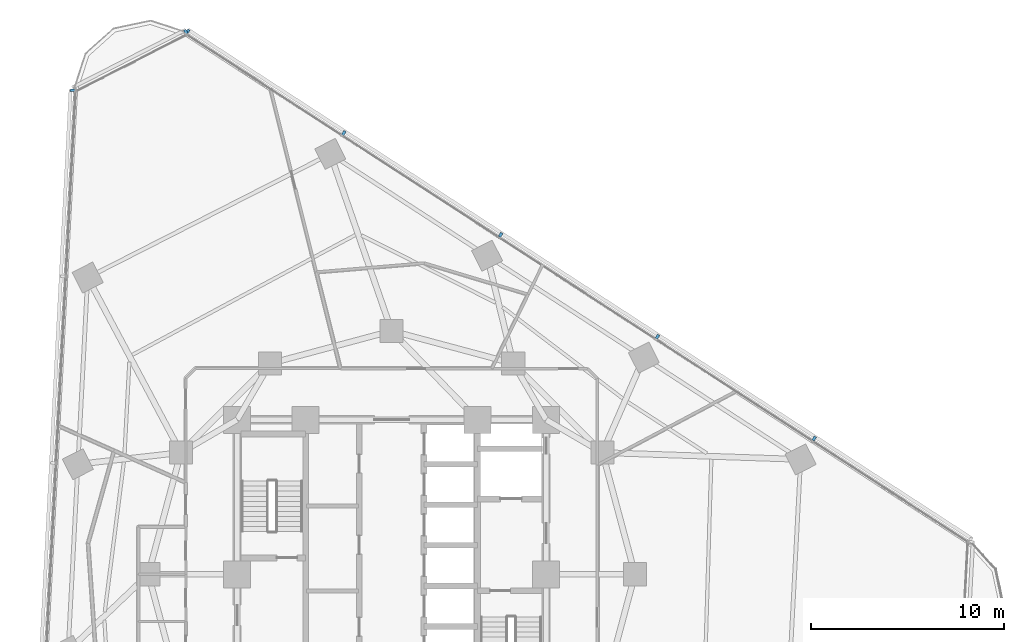
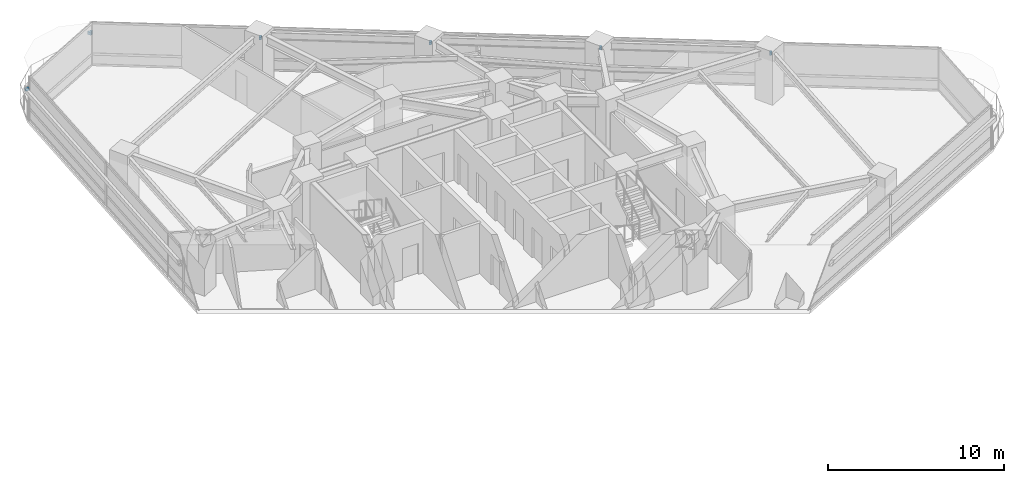
# One storey, part 11 of 14: 7 discrete accessories.
"""IFC4 building model written with IfcOpenShell, lengths in metres."""

import ifcopenshell
import ifcopenshell.guid

model = None  # the IFC model being written
_history = None  # IfcOwnerHistory: only IFC2X3 demands one
_inside = {}  # id of a spatial element -> (the spatial element, [elements in it])
_under = {}  # id of a project, library or spatial element -> (it, [spatial elements below it])
_declared = {}  # id of a project -> (the project, [libraries it declares])
_typed = {}  # id of a type object -> (the type object, [elements of that type])
_made_of = {}  # id of a material, layer set ... -> (it, [elements and type objects made of it])


def new_model(schema):
    """Start an empty IFC model of exactly this schema.

    Asked for "IFC4X3", IfcOpenShell would pick the latest addendum, in which some entities
    have other attributes; the version numbers below select the first issue.
    IFC2X3 requires an IfcOwnerHistory on every rooted entity: one is made here for all.
    """
    global model, _history
    if schema == "IFC4X3":
        model = ifcopenshell.file(schema_version=(4, 3, 0, 0))
    else:
        model = ifcopenshell.file(schema=schema)
    _inside.clear()
    _under.clear()
    _declared.clear()
    _typed.clear()
    _made_of.clear()
    _history = None
    if model.schema == "IFC2X3":
        org = make("IfcOrganization", Name="unknown")
        user = make(
            "IfcPersonAndOrganization",
            ThePerson=make("IfcPerson", FamilyName="unknown"),
            TheOrganization=org,
        )
        app = make(
            "IfcApplication",
            ApplicationDeveloper=org,
            Version="unknown",
            ApplicationFullName="unknown",
            ApplicationIdentifier="unknown",
        )
        _history = make(
            "IfcOwnerHistory",
            OwningUser=user,
            OwningApplication=app,
            ChangeAction="ADDED",
            CreationDate=0,
        )
    return model


def make(cls, **values):
    """One entity of the class cls with the attributes given. An attribute that is None is left unset."""
    return model.create_entity(
        cls, **{name: value for name, value in values.items() if value is not None}
    )


def rooted(cls, **values):
    """An entity with a GlobalId (a new one), such as an element, a storey or a relation."""
    return make(cls, GlobalId=ifcopenshell.guid.new(), OwnerHistory=_history, **values)


def si_unit(unit_type, name, prefix=None):
    """IfcSIUnit, for example si_unit("LENGTHUNIT", "METRE", prefix="MILLI")."""
    return make("IfcSIUnit", UnitType=unit_type, Prefix=prefix, Name=name)


def assignment(units):
    """IfcUnitAssignment: the units of a project."""
    return None if units is None else make("IfcUnitAssignment", Units=units)


def point(xyz):
    """IfcCartesianPoint."""
    return None if xyz is None else make("IfcCartesianPoint", Coordinates=xyz)


def direction(xyz):
    """IfcDirection."""
    return None if xyz is None else make("IfcDirection", DirectionRatios=xyz)


def frame(location, z_axis=None, x_axis=None):
    """IfcAxis2Placement3D, a coordinate frame: its origin and axes. An axis left out is left unset."""
    return make(
        "IfcAxis2Placement3D",
        Location=point(location),
        Axis=direction(z_axis),
        RefDirection=direction(x_axis),
    )


def frame_2d(location, x_axis=None):
    """IfcAxis2Placement2D, a coordinate frame in the plane: its origin and x axis."""
    return make(
        "IfcAxis2Placement2D", Location=point(location), RefDirection=direction(x_axis)
    )


def origin():
    """The frame at (0, 0, 0) with its axes left unset."""
    return frame((0.0, 0.0, 0.0))


def origin_2d():
    """The frame at (0, 0) in the plane with its x axis left unset."""
    return frame_2d((0.0, 0.0))


def place(relative_to, where):
    """IfcLocalPlacement: puts the frame where relative to a parent placement (None: the world)."""
    return make(
        "IfcLocalPlacement", PlacementRelTo=relative_to, RelativePlacement=where
    )


def context(
    kind, dimensions, precision=None, world=None, true_north=None, identifier=None
):
    """IfcGeometricRepresentationContext, for example the 3D "Model" context."""
    return make(
        "IfcGeometricRepresentationContext",
        ContextIdentifier=identifier,
        ContextType=kind,
        CoordinateSpaceDimension=dimensions,
        Precision=precision,
        WorldCoordinateSystem=world,
        TrueNorth=true_north,
    )


def subcontext(parent, identifier, kind, view, scale=None):
    """IfcGeometricRepresentationSubContext, for example "Body" below "Model"."""
    return make(
        "IfcGeometricRepresentationSubContext",
        ContextIdentifier=identifier,
        ContextType=kind,
        ParentContext=parent,
        TargetScale=scale,
        TargetView=view,
    )


def project(units=None, contexts=None):
    """IfcProject with its units and contexts."""
    return rooted(
        "IfcProject",
        Name="project",
        RepresentationContexts=contexts,
        UnitsInContext=assignment(units),
    )


def spatial(cls, under=None, at=None, **own):
    """A site, building, storey or space (cls), placed at a placement, below another one or the project."""
    s = rooted(cls, ObjectPlacement=at, **own)
    if under is not None:
        _under.setdefault(under.id(), (under, []))[1].append(s)
    return s


def profile(cls, at=None, kind="AREA", **sizes):
    """A parametric profile (cls). Its sizes go by their IFC names, for example OverallWidth=200.0."""
    return make(cls, ProfileType=kind, Position=at, **sizes)


def rectangle(**sizes):
    """IfcRectangleProfileDef."""
    return profile("IfcRectangleProfileDef", **sizes)


def extrude(swept, where, along, depth):
    """IfcExtrudedAreaSolid: the profile swept, set in the frame where, extruded along a direction by depth."""
    return make(
        "IfcExtrudedAreaSolid",
        SweptArea=swept,
        Position=where,
        ExtrudedDirection=direction(along),
        Depth=depth,
    )


def shape(context_of_items, identifier, shape_type, items):
    """IfcShapeRepresentation: the items that make up one representation, for example the "Body"."""
    return make(
        "IfcShapeRepresentation",
        ContextOfItems=context_of_items,
        RepresentationIdentifier=identifier,
        RepresentationType=shape_type,
        Items=items,
    )


def material(Name=None, Category=None):
    """IfcMaterial."""
    return make("IfcMaterial", Name=Name, Category=Category)


def made_of(thing, what):
    """Note that an element or type object is made of a material, layer set ...; save() writes the relation."""
    if what is not None:
        _made_of.setdefault(what.id(), (what, []))[1].append(thing)
    return thing


def type_object(cls, material=None, **own):
    """A type object (cls), such as IfcWallType, which elements share."""
    return made_of(rooted(cls, **own), material)


def element(
    cls,
    number,
    at=None,
    inside=None,
    cuts=None,
    type_object=None,
    material=None,
    context=None,
    identifier="Body",
    shape_type=None,
    held_by="IfcProductDefinitionShape",
    body=None,
    shapes=None,
    **own,
):
    """One element of the class cls, such as IfcWall. Its Tag is "e" and its number.

    at: its placement. inside: the storey or other place that contains it. cuts: it is an
    opening in that element (IfcRelVoidsElement). A single representation is given by context,
    identifier, shape_type and body (its items); several are given by shapes. held_by: the class
    of the entity that holds the representations. save() writes the other relations.
    """
    e = rooted(cls, Tag="e%d" % number, ObjectPlacement=at, **own)
    if body is not None:
        shapes = [shape(context, identifier, shape_type, body)]
    if shapes is not None:
        e.Representation = make(held_by, Representations=shapes)
    if inside is not None:
        _inside.setdefault(inside.id(), (inside, []))[1].append(e)
    if cuts is not None:
        rooted(
            "IfcRelVoidsElement", RelatingBuildingElement=cuts, RelatedOpeningElement=e
        )
    if type_object is not None:
        _typed.setdefault(type_object.id(), (type_object, []))[1].append(e)
    return made_of(e, material)


def aggregate(whole, parts):
    """IfcRelAggregates: a whole, such as a stair, and the parts it consists of."""
    return rooted("IfcRelAggregates", RelatingObject=whole, RelatedObjects=parts)


def save(model, path):
    """Write the relations noted so far, then the file.

    IfcRelAggregates (storeys below a building ...), IfcRelContainedInSpatialStructure (elements
    in a storey), IfcRelDefinesByType, IfcRelAssociatesMaterial and IfcRelDeclares: one each for
    every whole, place, type object, material and project.
    """
    for whole, parts in _under.values():
        aggregate(whole, parts)
    for where, things in _inside.values():
        rooted(
            "IfcRelContainedInSpatialStructure",
            RelatedElements=things,
            RelatingStructure=where,
        )
    for kind, things in _typed.values():
        rooted("IfcRelDefinesByType", RelatedObjects=things, RelatingType=kind)
    for what, things in _made_of.values():
        rooted("IfcRelAssociatesMaterial", RelatedObjects=things, RelatingMaterial=what)
    for by, libraries in _declared.values():
        rooted("IfcRelDeclares", RelatingContext=by, RelatedDefinitions=libraries)
    model.write(path)


model = new_model("IFC4")

# Units and contexts
model_context = context("Model", 3, precision=1e-05, world=origin(), true_north=direction((0.0, 1.0)))
body_context = subcontext(model_context, "Body", "Model", "MODEL_VIEW")
ifc_project = project(units=[si_unit("LENGTHUNIT", "METRE"), si_unit("AREAUNIT", "SQUARE_METRE"), si_unit("VOLUMEUNIT", "CUBIC_METRE"), si_unit("PLANEANGLEUNIT", "RADIAN"), si_unit("MASSUNIT", "GRAM", prefix="KILO")], contexts=[model_context])

# Site, building, storey
site_placement = place(None, origin())
site = spatial("IfcSite", under=ifc_project, at=site_placement, CompositionType="ELEMENT")
building_placement = place(site_placement, origin())
building = spatial("IfcBuilding", under=site, at=building_placement, Name="Terralouvre Media Tower", CompositionType="ELEMENT")
storey_placement = place(building_placement, frame((0.0, 0.0, 131.0)))
storey = spatial("IfcBuildingStorey", under=building, at=storey_placement, Name="L33", CompositionType="ELEMENT", Elevation=131.0)

# Discrete accessories
ifc_material = material(Name="Anodised extruded aluminium 6063-T6", Category="aluminium")
discrete_accessory_type = type_object("IfcDiscreteAccessoryType", Name="Mullion Stand-Off Baguette Fixing Bracket BK-01", PredefinedType="BRACKET", material=ifc_material)
for number, where, z_axis, x_axis, name in (
    (1, (21.87841796875, 7.030029296875, 2.07421875), (0.0, 0.0, 1.0), (-0.838670588944, 0.544639002681, 0.0), "CW-L33-F1 Baguette Outrigger Bracket 1.02"),
    (2, (13.76025390625, 12.30224609375, 2.07421875), (0.0, 0.0, 1.0), (-0.838670588944, 0.544639002681, 0.0), "CW-L33-F1 Baguette Outrigger Bracket 1.03"),
    (3, (5.641845703125, 17.574462890625, 2.07421875), (0.0, 0.0, 1.0), (-0.838670588944, 0.544639002681, 0.0), "CW-L33-F1 Baguette Outrigger Bracket 1.04"),
    (4, (-2.4765625, 22.846435546875, 2.07421875), (0.0, 0.0, 1.0), (-0.838670588944, 0.544639002681, 0.0), "CW-L33-F1 Baguette Outrigger Bracket 1.05"),
    (5, (-10.563232421875, 28.09814453125, 2.07421875), (0.0, 0.0, 1.0), (-0.838670588944, 0.544639002681, 0.0), "CW-L33-F1 Baguette Outrigger Bracket 1.06"),
    (6, (-16.52294921875, 25.0615234375, 2.07421875), (0.0, 0.0, 1.0), (-0.052335949864, -0.998629535089, 0.0), "CW-L33-F2 Baguette Outrigger Bracket 1.01"),
    (7, (-10.6591796875, 28.085693359375, 2.07421875), (0.0, 0.0, 1.0), (-0.891006600184, -0.45399035059, 0.0), "CW-L33-C2 Baguette Outrigger Bracket 1.01"),
):
    element("IfcDiscreteAccessory", number, at=place(storey_placement, frame(where, z_axis=z_axis, x_axis=x_axis)), inside=storey, type_object=discrete_accessory_type, Name=name, PredefinedType="BRACKET", context=body_context, shape_type="SweptSolid", body=[
        extrude(rectangle(XDim=0.139892578125, YDim=0.239990234375, at=origin_2d()), origin(), (0.0, 0.0, 1.0), 0.179931640625),
    ])

save(model, "model.ifc")
